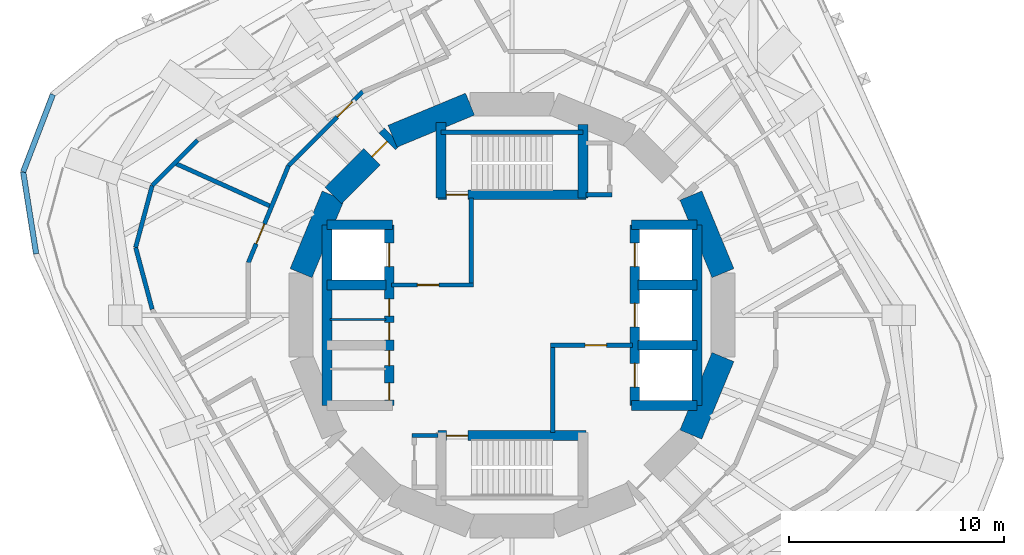
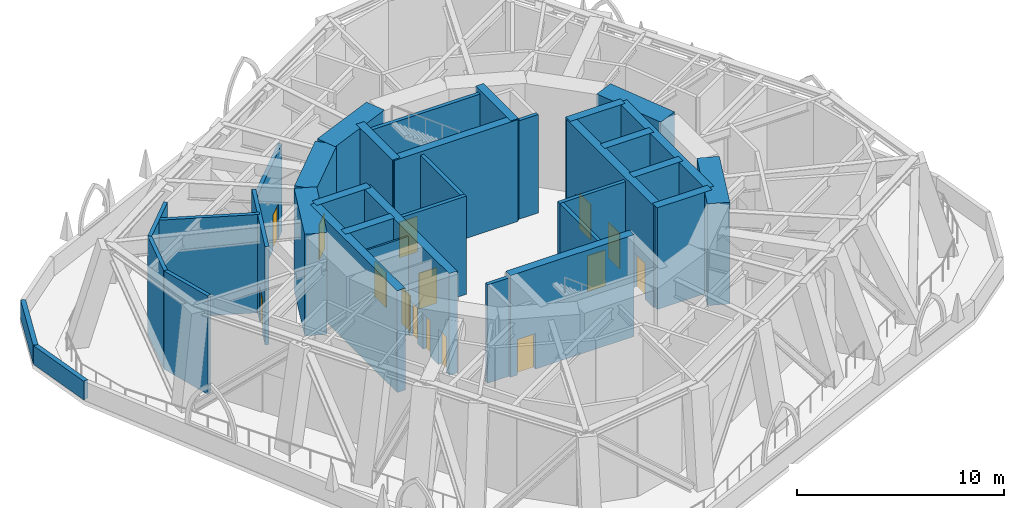
# One storey, part 5 of 10: 35 walls, 15 doors, 15 openings.
"""IFC4 building model written with IfcOpenShell, lengths in metres."""

from ifc_helpers import new_model, si_unit, direction, frame, frame_2d, origin, place, context, subcontext, project, spatial, rectangle, extrude, material, layer, layer_set, type_object, element, fill, save


model = new_model("IFC4")

# Units and contexts
model_context = context("Model", 3, precision=1e-05, world=origin(), true_north=direction((0.0, 1.0)))
body_context = subcontext(model_context, "Body", "Model", "MODEL_VIEW")
ifc_project = project(units=[si_unit("LENGTHUNIT", "METRE"), si_unit("AREAUNIT", "SQUARE_METRE"), si_unit("VOLUMEUNIT", "CUBIC_METRE"), si_unit("PLANEANGLEUNIT", "RADIAN"), si_unit("MASSUNIT", "GRAM", prefix="KILO")], contexts=[model_context])

# Site, building, storey
site_placement = place(None, origin())
site = spatial("IfcSite", under=ifc_project, at=site_placement, CompositionType="ELEMENT")
building_placement = place(site_placement, origin())
building = spatial("IfcBuilding", under=site, at=building_placement, Name="Nakasero Lantern House", CompositionType="ELEMENT")
storey_placement = place(building_placement, frame((0.0, 0.0, 217.10009765625)))
storey = spatial("IfcBuildingStorey", under=building, at=storey_placement, Name="L53", CompositionType="ELEMENT", Elevation=217.10009765625)

# Wall, openings, doors
ifc_material_1 = material(Name="Concrete C50/60", Category="concrete")
ifc_layer_1 = layer(ifc_material_1, 0.449951171875)
ifc_layer_set_1 = layer_set([ifc_layer_1], Name="Core inner wall 450")
wall_type_1 = type_object("IfcWallType", Name="Core inner wall 450", PredefinedType="SHEAR", material=ifc_layer_set_1)
wall_1_placement = place(storey_placement, frame((-5.699951171875, -4.199951171875, 0.0), z_axis=(0.0, 0.0, 1.0), x_axis=(0.0, 1.0, 0.0)))
wall_1 = element("IfcWall", 1, at=wall_1_placement, inside=storey, type_object=wall_type_1, Name="Core inner wall L53 LW", PredefinedType="SHEAR", context=body_context, shape_type="SweptSolid", body=[
    extrude(rectangle(XDim=8.39990234375, YDim=0.449951171875, at=frame_2d((4.199951171875, 0.0))), origin(), (0.0, 0.0, 1.0), 6.0),
])
opening_1_placement = place(wall_1_placement, frame((0.25, 0.0, 0.0)))
opening_1 = element("IfcOpeningElement", 2, at=opening_1_placement, cuts=wall_1, Name="Opening D19", PredefinedType="OPENING", context=body_context, shape_type="SweptSolid", body=[
    extrude(rectangle(XDim=0.800048828125, YDim=2.10009765625, at=frame_2d((0.39990234375, 1.050048828125))), frame((0.0, 0.244873046875, 0.0), z_axis=(0.0, -1.0, 0.0), x_axis=(1.0, 0.0, 0.0)), (0.0, 0.0, 1.0), 0.489990234375),
])
opening_2_placement = place(wall_1_placement, frame((1.85009765625, 0.0, 0.0)))
opening_2 = element("IfcOpeningElement", 3, at=opening_2_placement, cuts=wall_1, Name="Opening D20", PredefinedType="OPENING", context=body_context, shape_type="SweptSolid", body=[
    extrude(rectangle(XDim=0.699951171875, YDim=2.10009765625, at=frame_2d((0.35009765625, 1.050048828125))), frame((0.0, 0.244873046875, 0.0), z_axis=(0.0, -1.0, 0.0), x_axis=(1.0, 0.0, 0.0)), (0.0, 0.0, 1.0), 0.489990234375),
])
opening_3_placement = place(wall_1_placement, frame((3.050048828125, 0.0, 0.0)))
opening_3 = element("IfcOpeningElement", 4, at=opening_3_placement, cuts=wall_1, Name="Opening D19", PredefinedType="OPENING", context=body_context, shape_type="SweptSolid", body=[
    extrude(rectangle(XDim=0.800048828125, YDim=2.10009765625, at=frame_2d((0.39990234375, 1.050048828125))), frame((0.0, 0.244873046875, 0.0), z_axis=(0.0, -1.0, 0.0), x_axis=(1.0, 0.0, 0.0)), (0.0, 0.0, 1.0), 0.489990234375),
])
opening_4_placement = place(wall_1_placement, frame((4.14990234375, 0.0, 0.0)))
opening_4 = element("IfcOpeningElement", 5, at=opening_4_placement, cuts=wall_1, Name="Opening D15", PredefinedType="OPENING", context=body_context, shape_type="SweptSolid", body=[
    extrude(rectangle(XDim=0.800048828125, YDim=2.10009765625, at=frame_2d((0.39990234375, 1.050048828125))), frame((0.0, 0.244873046875, 0.0), z_axis=(0.0, -1.0, 0.0), x_axis=(1.0, 0.0, 0.0)), (0.0, 0.0, 1.0), 0.489990234375),
])
opening_5_placement = place(wall_1_placement, frame((6.449951171875, 0.0, 0.0)))
opening_5 = element("IfcOpeningElement", 6, at=opening_5_placement, cuts=wall_1, Name="Opening LD", PredefinedType="OPENING", context=body_context, shape_type="SweptSolid", body=[
    extrude(rectangle(XDim=1.10009765625, YDim=2.10009765625, at=frame_2d((0.550048828125, 1.050048828125))), frame((0.0, 0.244873046875, 0.0), z_axis=(0.0, -1.0, 0.0), x_axis=(1.0, 0.0, 0.0)), (0.0, 0.0, 1.0), 0.489990234375),
])
ifc_material_2 = material(Name="Timber C24", Category="wood")
door_type_1 = type_object("IfcDoorType", Name="Cleaner's store door FD30S 700", OperationType="SINGLE_SWING_LEFT", PredefinedType="DOOR", material=ifc_material_2)
door_1_placement = place(opening_2_placement, origin())
door_1 = element("IfcDoor", 7, at=door_1_placement, inside=storey, type_object=door_type_1, Name="Door L53 D-SH-LW1b", OperationType="SINGLE_SWING_LEFT", OverallHeight=2.10009765625, OverallWidth=0.699951171875, PredefinedType="DOOR", context=body_context, shape_type="SweptSolid", body=[
    extrude(rectangle(XDim=0.699951171875, YDim=2.10009765625, at=frame_2d((0.35009765625, 1.050048828125))), frame((0.0, 0.02490234375, 0.0), z_axis=(0.0, -1.0, 0.0), x_axis=(1.0, 0.0, 0.0)), (0.0, 0.0, 1.0), 0.050048828125),
])
fill(opening_2, door_1)
ifc_material_3 = material(Name="Timber C24", Category="wood")
door_type_2 = type_object("IfcDoorType", Name="Cleaner's store door FD30S 800", OperationType="SINGLE_SWING_LEFT", PredefinedType="DOOR", material=ifc_material_3)
door_2_placement = place(opening_4_placement, origin())
door_2 = element("IfcDoor", 8, at=door_2_placement, inside=storey, type_object=door_type_2, Name="Door L53 D-SH-LW2b", OperationType="SINGLE_SWING_RIGHT", OverallHeight=2.10009765625, OverallWidth=0.800048828125, PredefinedType="DOOR", context=body_context, shape_type="SweptSolid", body=[
    extrude(rectangle(XDim=0.800048828125, YDim=2.10009765625, at=frame_2d((0.39990234375, 1.050048828125))), frame((0.0, 0.02490234375, 0.0), z_axis=(0.0, -1.0, 0.0), x_axis=(1.0, 0.0, 0.0)), (0.0, 0.0, 1.0), 0.050048828125),
])
fill(opening_4, door_2)
ifc_material_4 = material(Name="Steel S355", Category="steel")
door_type_3 = type_object("IfcDoorType", Name="Lift landing door E120 1100", OperationType="SLIDING_TO_LEFT", PredefinedType="DOOR", material=ifc_material_4)
door_3_placement = place(opening_5_placement, origin())
door_3 = element("IfcDoor", 9, at=door_3_placement, inside=storey, type_object=door_type_3, Name="Lift landing door LW3", OperationType="SLIDING_TO_LEFT", OverallHeight=2.10009765625, OverallWidth=1.10009765625, PredefinedType="DOOR", context=body_context, shape_type="SweptSolid", body=[
    extrude(rectangle(XDim=1.10009765625, YDim=2.10009765625, at=frame_2d((0.550048828125, 1.050048828125))), frame((0.0, 0.02490234375, 0.0), z_axis=(0.0, -1.0, 0.0), x_axis=(1.0, 0.0, 0.0)), (0.0, 0.0, 1.0), 0.050048828125),
])
fill(opening_5, door_3)
ifc_material_5 = material(Name="Steel S355", Category="steel")
door_type_4 = type_object("IfcDoorType", Name="Plant room door FD60 800", OperationType="SINGLE_SWING_LEFT", PredefinedType="DOOR", material=ifc_material_5)
door_4_placement = place(opening_1_placement, origin())
door_4 = element("IfcDoor", 10, at=door_4_placement, inside=storey, type_object=door_type_4, Name="Door L53 D-SH-LW1a", OperationType="SINGLE_SWING_LEFT", OverallHeight=2.10009765625, OverallWidth=0.800048828125, PredefinedType="DOOR", context=body_context, shape_type="SweptSolid", body=[
    extrude(rectangle(XDim=0.800048828125, YDim=2.10009765625, at=frame_2d((0.39990234375, 1.050048828125))), frame((0.0, 0.02490234375, 0.0), z_axis=(0.0, -1.0, 0.0), x_axis=(1.0, 0.0, 0.0)), (0.0, 0.0, 1.0), 0.050048828125),
])
fill(opening_1, door_4)
door_5_placement = place(opening_3_placement, origin())
door_5 = element("IfcDoor", 11, at=door_5_placement, inside=storey, type_object=door_type_4, Name="Door L53 D-SH-LW2a", OperationType="SINGLE_SWING_LEFT", OverallHeight=2.10009765625, OverallWidth=0.800048828125, PredefinedType="DOOR", context=body_context, shape_type="SweptSolid", body=[
    extrude(rectangle(XDim=0.800048828125, YDim=2.10009765625, at=frame_2d((0.39990234375, 1.050048828125))), frame((0.0, 0.02490234375, 0.0), z_axis=(0.0, -1.0, 0.0), x_axis=(1.0, 0.0, 0.0)), (0.0, 0.0, 1.0), 0.050048828125),
])
fill(opening_3, door_5)

wall_2_placement = place(storey_placement, frame((5.699951171875, -4.199951171875, 0.0), z_axis=(0.0, 0.0, 1.0), x_axis=(0.0, 1.0, 0.0)))
wall_2 = element("IfcWall", 12, at=wall_2_placement, inside=storey, type_object=wall_type_1, Name="Core inner wall L53 LE", PredefinedType="SHEAR", context=body_context, shape_type="SweptSolid", body=[
    extrude(rectangle(XDim=8.39990234375, YDim=0.449951171875, at=frame_2d((4.199951171875, 0.0))), origin(), (0.0, 0.0, 1.0), 6.0),
])
opening_6_placement = place(wall_2_placement, frame((0.85009765625, 0.0, 0.0)))
opening_6 = element("IfcOpeningElement", 13, at=opening_6_placement, cuts=wall_2, Name="Opening LD", PredefinedType="OPENING", context=body_context, shape_type="SweptSolid", body=[
    extrude(rectangle(XDim=1.10009765625, YDim=2.10009765625, at=frame_2d((0.550048828125, 1.050048828125))), frame((0.0, 0.244873046875, 0.0), z_axis=(0.0, -1.0, 0.0), x_axis=(1.0, 0.0, 0.0)), (0.0, 0.0, 1.0), 0.489990234375),
])
opening_7_placement = place(wall_2_placement, frame((3.64990234375, 0.0, 0.0)))
opening_7 = element("IfcOpeningElement", 14, at=opening_7_placement, cuts=wall_2, Name="Opening LD", PredefinedType="OPENING", context=body_context, shape_type="SweptSolid", body=[
    extrude(rectangle(XDim=1.10009765625, YDim=2.10009765625, at=frame_2d((0.550048828125, 1.050048828125))), frame((0.0, 0.244873046875, 0.0), z_axis=(0.0, -1.0, 0.0), x_axis=(1.0, 0.0, 0.0)), (0.0, 0.0, 1.0), 0.489990234375),
])
opening_8_placement = place(wall_2_placement, frame((6.449951171875, 0.0, 0.0)))
opening_8 = element("IfcOpeningElement", 15, at=opening_8_placement, cuts=wall_2, Name="Opening LD", PredefinedType="OPENING", context=body_context, shape_type="SweptSolid", body=[
    extrude(rectangle(XDim=1.10009765625, YDim=2.10009765625, at=frame_2d((0.550048828125, 1.050048828125))), frame((0.0, 0.244873046875, 0.0), z_axis=(0.0, -1.0, 0.0), x_axis=(1.0, 0.0, 0.0)), (0.0, 0.0, 1.0), 0.489990234375),
])
door_6_placement = place(opening_6_placement, origin())
door_6 = element("IfcDoor", 16, at=door_6_placement, inside=storey, type_object=door_type_3, Name="Lift landing door LE1", OperationType="SLIDING_TO_LEFT", OverallHeight=2.10009765625, OverallWidth=1.10009765625, PredefinedType="DOOR", context=body_context, shape_type="SweptSolid", body=[
    extrude(rectangle(XDim=1.10009765625, YDim=2.10009765625, at=frame_2d((0.550048828125, 1.050048828125))), frame((0.0, 0.02490234375, 0.0), z_axis=(0.0, -1.0, 0.0), x_axis=(1.0, 0.0, 0.0)), (0.0, 0.0, 1.0), 0.050048828125),
])
fill(opening_6, door_6)
door_7_placement = place(opening_7_placement, origin())
door_7 = element("IfcDoor", 17, at=door_7_placement, inside=storey, type_object=door_type_3, Name="Lift landing door LE2", OperationType="SLIDING_TO_LEFT", OverallHeight=2.10009765625, OverallWidth=1.10009765625, PredefinedType="DOOR", context=body_context, shape_type="SweptSolid", body=[
    extrude(rectangle(XDim=1.10009765625, YDim=2.10009765625, at=frame_2d((0.550048828125, 1.050048828125))), frame((0.0, 0.02490234375, 0.0), z_axis=(0.0, -1.0, 0.0), x_axis=(1.0, 0.0, 0.0)), (0.0, 0.0, 1.0), 0.050048828125),
])
fill(opening_7, door_7)
door_8_placement = place(opening_8_placement, origin())
door_8 = element("IfcDoor", 18, at=door_8_placement, inside=storey, type_object=door_type_3, Name="Lift landing door LE3", OperationType="SLIDING_TO_LEFT", OverallHeight=2.10009765625, OverallWidth=1.10009765625, PredefinedType="DOOR", context=body_context, shape_type="SweptSolid", body=[
    extrude(rectangle(XDim=1.10009765625, YDim=2.10009765625, at=frame_2d((0.550048828125, 1.050048828125))), frame((0.0, 0.02490234375, 0.0), z_axis=(0.0, -1.0, 0.0), x_axis=(1.0, 0.0, 0.0)), (0.0, 0.0, 1.0), 0.050048828125),
])
fill(opening_8, door_8)

# Walls
for number, where, z_axis, x_axis, name in (
    (19, (-8.60009765625, 4.199951171875, 0.0), (0.0, 0.0, 1.0), (1.0, 0.0, 0.0), "Core inner wall L53 LWN"),
    (20, (5.550048828125, 4.199951171875, 0.0), (0.0, 0.0, 1.0), (1.0, 0.0, 0.0), "Core inner wall L53 LEN"),
    (21, (5.550048828125, -4.199951171875, 0.0), (0.0, 0.0, 1.0), (1.0, 0.0, 0.0), "Core inner wall L53 LES"),
):
    element("IfcWall", number, at=place(storey_placement, frame(where, z_axis=z_axis, x_axis=x_axis)), inside=storey, type_object=wall_type_1, Name=name, PredefinedType="SHEAR", context=body_context, shape_type="SweptSolid", body=[
        extrude(rectangle(XDim=3.050048828125, YDim=0.449951171875, at=frame_2d((1.52490234375, 0.0))), origin(), (0.0, 0.0, 1.0), 6.0),
    ])
for number, where, z_axis, x_axis, name in (
    (22, (-8.60009765625, -4.199951171875, 0.0), (0.0, 0.0, 1.0), (0.0, 1.0, 0.0), "Core inner wall L53 LWB"),
    (23, (8.60009765625, -4.199951171875, 0.0), (0.0, 0.0, 1.0), (0.0, 1.0, 0.0), "Core inner wall L53 LEB"),
):
    element("IfcWall", number, at=place(storey_placement, frame(where, z_axis=z_axis, x_axis=x_axis)), inside=storey, type_object=wall_type_1, Name=name, PredefinedType="SHEAR", context=body_context, shape_type="SweptSolid", body=[
        extrude(rectangle(XDim=8.39990234375, YDim=0.449951171875, at=frame_2d((4.199951171875, 0.0))), origin(), (0.0, 0.0, 1.0), 6.0),
    ])
for number, where, z_axis, x_axis, name in (
    (24, (-8.60009765625, 1.39990234375, 0.0), (0.0, 0.0, 1.0), (1.0, 0.0, 0.0), "Core inner wall L53 LW2"),
    (25, (5.85009765625, -1.39990234375, 0.0), (0.0, 0.0, 1.0), (1.0, 0.0, 0.0), "Core inner wall L53 LE1"),
    (26, (5.85009765625, 1.39990234375, 0.0), (0.0, 0.0, 1.0), (1.0, 0.0, 0.0), "Core inner wall L53 LE2"),
):
    element("IfcWall", number, at=place(storey_placement, frame(where, z_axis=z_axis, x_axis=x_axis)), inside=storey, type_object=wall_type_1, Name=name, PredefinedType="SHEAR", context=body_context, shape_type="SweptSolid", body=[
        extrude(rectangle(XDim=2.75, YDim=0.449951171875, at=frame_2d((1.375, 0.0))), origin(), (0.0, 0.0, 1.0), 6.0),
    ])

# Wall, opening, door
wall_3_placement = place(storey_placement, frame((-3.449951171875, 5.60009765625, 0.0), z_axis=(0.0, 0.0, 1.0), x_axis=(1.0, 0.0, 0.0)))
wall_3 = element("IfcWall", 27, at=wall_3_placement, inside=storey, type_object=wall_type_1, Name="Core inner wall L53 SN", PredefinedType="SHEAR", context=body_context, shape_type="SweptSolid", body=[
    extrude(rectangle(XDim=6.89990234375, YDim=0.449951171875, at=frame_2d((3.449951171875, 0.0))), origin(), (0.0, 0.0, 1.0), 6.0),
])
opening_9_placement = place(wall_3_placement, frame((0.39990234375, 0.0, 0.0)))
opening_9 = element("IfcOpeningElement", 28, at=opening_9_placement, cuts=wall_3, Name="Opening D05", PredefinedType="OPENING", context=body_context, shape_type="SweptSolid", body=[
    extrude(rectangle(XDim=1.0, YDim=2.10009765625, at=frame_2d((0.5, 1.050048828125))), frame((0.0, 0.244873046875, 0.0), z_axis=(0.0, -1.0, 0.0), x_axis=(1.0, 0.0, 0.0)), (0.0, 0.0, 1.0), 0.489990234375),
])
ifc_material_6 = material(Name="Timber C24", Category="wood")
door_type_5 = type_object("IfcDoorType", Name="Core door FD60S 1000", OperationType="SINGLE_SWING_LEFT", PredefinedType="DOOR", material=ifc_material_6)
door_9_placement = place(opening_9_placement, origin())
door_9 = element("IfcDoor", 29, at=door_9_placement, inside=storey, type_object=door_type_5, Name="Door L53 D-ST1", OperationType="SINGLE_SWING_LEFT", OverallHeight=2.10009765625, OverallWidth=1.0, PredefinedType="DOOR", context=body_context, shape_type="SweptSolid", body=[
    extrude(rectangle(XDim=1.0, YDim=2.10009765625, at=frame_2d((0.5, 1.050048828125))), frame((0.0, 0.02490234375, 0.0), z_axis=(0.0, -1.0, 0.0), x_axis=(1.0, 0.0, 0.0)), (0.0, 0.0, 1.0), 0.050048828125),
])
fill(opening_9, door_9)

# Walls
wall_4_placement = place(storey_placement, frame((-3.300048828125, 5.449951171875, 0.0), z_axis=(0.0, 0.0, 1.0), x_axis=(0.0, 1.0, 0.0)))
element("IfcWall", 30, at=wall_4_placement, inside=storey, type_object=wall_type_1, Name="Core inner wall L53 SNW", PredefinedType="SHEAR", context=body_context, shape_type="SweptSolid", body=[
    extrude(rectangle(XDim=3.5, YDim=0.449951171875, at=frame_2d((1.75, 0.0))), origin(), (0.0, 0.0, 1.0), 6.0),
])
wall_5_placement = place(storey_placement, frame((3.300048828125, 5.449951171875, 0.0), z_axis=(0.0, 0.0, 1.0), x_axis=(0.0, 1.0, 0.0)))
element("IfcWall", 31, at=wall_5_placement, inside=storey, type_object=wall_type_1, Name="Core inner wall L53 SNE", PredefinedType="SHEAR", context=body_context, shape_type="SweptSolid", body=[
    extrude(rectangle(XDim=3.400146484375, YDim=0.449951171875, at=frame_2d((1.7001953125, 0.0))), origin(), (0.0, 0.0, 1.0), 6.0),
])

# Wall, opening, door
wall_6_placement = place(storey_placement, frame((-3.449951171875, -5.60009765625, 0.0), z_axis=(0.0, 0.0, 1.0), x_axis=(1.0, 0.0, 0.0)))
wall_6 = element("IfcWall", 32, at=wall_6_placement, inside=storey, type_object=wall_type_1, Name="Core inner wall L53 SS", PredefinedType="SHEAR", context=body_context, shape_type="SweptSolid", body=[
    extrude(rectangle(XDim=6.89990234375, YDim=0.449951171875, at=frame_2d((3.449951171875, 0.0))), origin(), (0.0, 0.0, 1.0), 6.0),
])
opening_10_placement = place(wall_6_placement, frame((0.39990234375, 0.0, 0.0)))
opening_10 = element("IfcOpeningElement", 33, at=opening_10_placement, cuts=wall_6, Name="Opening D05", PredefinedType="OPENING", context=body_context, shape_type="SweptSolid", body=[
    extrude(rectangle(XDim=1.0, YDim=2.10009765625, at=frame_2d((0.5, 1.050048828125))), frame((0.0, 0.244873046875, 0.0), z_axis=(0.0, -1.0, 0.0), x_axis=(1.0, 0.0, 0.0)), (0.0, 0.0, 1.0), 0.489990234375),
])
door_10_placement = place(opening_10_placement, origin())
door_10 = element("IfcDoor", 34, at=door_10_placement, inside=storey, type_object=door_type_5, Name="Door L53 D-ST2", OperationType="SINGLE_SWING_LEFT", OverallHeight=2.10009765625, OverallWidth=1.0, PredefinedType="DOOR", context=body_context, shape_type="SweptSolid", body=[
    extrude(rectangle(XDim=1.0, YDim=2.10009765625, at=frame_2d((0.5, 1.050048828125))), frame((0.0, 0.02490234375, 0.0), z_axis=(0.0, -1.0, 0.0), x_axis=(1.0, 0.0, 0.0)), (0.0, 0.0, 1.0), 0.050048828125),
])
fill(opening_10, door_10)

# Walls
ifc_material_7 = material(Name="Blockwork", Category="masonry")
ifc_layer_2 = layer(ifc_material_7, 0.10009765625)
ifc_layer_set_2 = layer_set([ifc_layer_2], Name="Core room wall 100")
wall_type_2 = type_object("IfcWallType", Name="Core room wall 100", PredefinedType="PARTITIONING", material=ifc_layer_set_2)
wall_7_placement = place(storey_placement, frame((-8.449951171875, -0.199951171875, 0.0), z_axis=(0.0, 0.0, 1.0), x_axis=(1.0, 0.0, 0.0)))
element("IfcWall", 35, at=wall_7_placement, inside=storey, type_object=wall_type_2, Name="Core room wall L53 CR-SH-LW2b", PredefinedType="PARTITIONING", context=body_context, shape_type="SweptSolid", body=[
    extrude(rectangle(XDim=2.599853515625, YDim=0.10009765625, at=frame_2d((1.2998046875, 0.0))), origin(), (0.0, 0.0, 1.0), 5.7998046875),
])
ifc_material_8 = material(Name="Concrete C50/60", Category="concrete")
ifc_layer_3 = layer(ifc_material_8, 1.10009765625)
ifc_layer_set_3 = layer_set([ifc_layer_3], Name="Core wall 1100")
wall_type_3 = type_object("IfcWallType", Name="Core wall 1100", PredefinedType="SHEAR", material=ifc_layer_set_3)
for number, where, z_axis, x_axis, name in (
    (36, (9.807861328125, 1.950927734375, 0.0), (0.0, 0.0, 1.0), (-0.382690736062, 0.923876507187, 0.0), "Core wall L53 facet 1"),
    (37, (-1.950927734375, 9.807861328125, 0.0), (0.0, 0.0, 1.0), (-0.923876507187, -0.382690736062, 0.0), "Core wall L53 facet 5"),
):
    element("IfcWall", number, at=place(storey_placement, frame(where, z_axis=z_axis, x_axis=x_axis)), inside=storey, type_object=wall_type_3, Name=name, PredefinedType="SHEAR", context=body_context, shape_type="SweptSolid", body=[
        extrude(rectangle(XDim=3.90185546875, YDim=1.10009765625, at=frame_2d((1.950927734375, 0.0))), origin(), (0.0, 0.0, 1.0), 6.0),
    ])

# Wall, opening, door
wall_8_placement = place(storey_placement, frame((-5.5556640625, 8.314697265625, 0.0), z_axis=(0.0, 0.0, 1.0), x_axis=(-0.707106781187, -0.707106781187, 0.0)))
wall_8 = element("IfcWall", 38, at=wall_8_placement, inside=storey, type_object=wall_type_3, Name="Core wall L53 facet 6", PredefinedType="SHEAR", context=body_context, shape_type="SweptSolid", body=[
    extrude(rectangle(XDim=3.90185546875, YDim=1.10009765625, at=frame_2d((1.950927734375, 0.0))), origin(), (0.0, 0.0, 1.0), 6.0),
])
opening_11_placement = place(wall_8_placement, frame((0.35009765625, 0.0, 0.0)))
opening_11 = element("IfcOpeningElement", 39, at=opening_11_placement, cuts=wall_8, Name="Opening D05", PredefinedType="OPENING", context=body_context, shape_type="SweptSolid", body=[
    extrude(rectangle(XDim=1.0, YDim=2.10009765625, at=frame_2d((0.5, 1.050048828125))), frame((0.0, 0.570068359375, 0.0), z_axis=(0.0, -1.0, 0.0), x_axis=(1.0, 0.0, 0.0)), (0.0, 0.0, 1.0), 1.14013671875),
])
door_11_placement = place(opening_11_placement, origin())
door_11 = element("IfcDoor", 40, at=door_11_placement, inside=storey, type_object=door_type_5, Name="Door L53 D-CORE06", OperationType="SINGLE_SWING_LEFT", OverallHeight=2.10009765625, OverallWidth=1.0, PredefinedType="DOOR", context=body_context, shape_type="SweptSolid", body=[
    extrude(rectangle(XDim=1.0, YDim=2.10009765625, at=frame_2d((0.5, 1.050048828125))), frame((0.0, 0.02490234375, 0.0), z_axis=(0.0, -1.0, 0.0), x_axis=(1.0, 0.0, 0.0)), (0.0, 0.0, 1.0), 0.050048828125),
])
fill(opening_11, door_11)

# Walls
for number, where, z_axis, x_axis, name in (
    (41, (-8.314697265625, 5.5556640625, 0.0), (0.0, 0.0, 1.0), (-0.382690736062, -0.923876507187, 0.0), "Core wall L53 facet 7"),
    (42, (8.314697265625, -5.5556640625, 0.0), (0.0, 0.0, 1.0), (0.382690736062, 0.923876507187, 0.0), "Core wall L53 facet 15"),
):
    element("IfcWall", number, at=place(storey_placement, frame(where, z_axis=z_axis, x_axis=x_axis)), inside=storey, type_object=wall_type_3, Name=name, PredefinedType="SHEAR", context=body_context, shape_type="SweptSolid", body=[
        extrude(rectangle(XDim=3.90185546875, YDim=1.10009765625, at=frame_2d((1.950927734375, 0.0))), origin(), (0.0, 0.0, 1.0), 6.0),
    ])

# Wall, opening, door
ifc_material_9 = material(Name="Blockwork", Category="masonry")
ifc_layer_4 = layer(ifc_material_9, 0.199951171875)
ifc_layer_set_4 = layer_set([ifc_layer_4], Name="Corridor wall 200")
wall_type_4 = type_object("IfcWallType", Name="Corridor wall 200", PredefinedType="PARTITIONING", material=ifc_layer_set_4)
wall_9_placement = place(storey_placement, frame((-12.2578125, 2.438232421875, 0.0), z_axis=(0.0, 0.0, 1.0), x_axis=(0.382687830351, 0.923877710793, 0.0)))
wall_9 = element("IfcWall", 43, at=wall_9_placement, inside=storey, type_object=wall_type_4, Name="Corridor wall L53 TC09", PredefinedType="PARTITIONING", context=body_context, shape_type="SweptSolid", body=[
    extrude(rectangle(XDim=4.876708984375, YDim=0.199951171875, at=frame_2d((2.4384765625, 0.0))), origin(), (0.0, 0.0, 1.0), 5.7998046875),
])
opening_12_placement = place(wall_9_placement, frame((0.949951171875, 0.0, 0.0)))
opening_12 = element("IfcOpeningElement", 44, at=opening_12_placement, cuts=wall_9, Name="Opening D13", PredefinedType="OPENING", context=body_context, shape_type="SweptSolid", body=[
    extrude(rectangle(XDim=1.0, YDim=2.10009765625, at=frame_2d((0.5, 1.050048828125))), frame((0.0, 0.119873046875, 0.0), z_axis=(0.0, -1.0, 0.0), x_axis=(1.0, 0.0, 0.0)), (0.0, 0.0, 1.0), 0.239990234375),
])
ifc_material_10 = material(Name="Steel S355", Category="steel")
door_type_6 = type_object("IfcDoorType", Name="Plant room door FD60 1000", OperationType="SINGLE_SWING_LEFT", PredefinedType="DOOR", material=ifc_material_10)
door_12_placement = place(opening_12_placement, origin())
door_12 = element("IfcDoor", 45, at=door_12_placement, inside=storey, type_object=door_type_6, Name="Door L53 TDR11", OperationType="SINGLE_SWING_LEFT", OverallHeight=2.10009765625, OverallWidth=1.0, PredefinedType="DOOR", context=body_context, shape_type="SweptSolid", body=[
    extrude(rectangle(XDim=1.0, YDim=2.10009765625, at=frame_2d((0.5, 1.050048828125))), frame((0.0, 0.02490234375, 0.0), z_axis=(0.0, -1.0, 0.0), x_axis=(1.0, 0.0, 0.0)), (0.0, 0.0, 1.0), 0.050048828125),
])
fill(opening_12, door_12)

wall_10_placement = place(storey_placement, frame((-10.3916015625, 6.943603515625, 0.0), z_axis=(0.0, 0.0, 1.0), x_axis=(0.707106781187, 0.707106781187, 0.0)))
wall_10 = element("IfcWall", 46, at=wall_10_placement, inside=storey, type_object=wall_type_4, Name="Corridor wall L53 TC10", PredefinedType="PARTITIONING", context=body_context, shape_type="SweptSolid", body=[
    extrude(rectangle(XDim=4.876220703125, YDim=0.199951171875, at=frame_2d((2.43798828125, 0.0))), origin(), (0.0, 0.0, 1.0), 5.197265625),
])
opening_13_placement = place(wall_10_placement, frame((3.199951171875, 0.0, 0.0)))
opening_13 = element("IfcOpeningElement", 47, at=opening_13_placement, cuts=wall_10, Name="Opening D13", PredefinedType="OPENING", context=body_context, shape_type="SweptSolid", body=[
    extrude(rectangle(XDim=1.0, YDim=2.10009765625, at=frame_2d((0.5, 1.050048828125))), frame((0.0, 0.119873046875, 0.0), z_axis=(0.0, -1.0, 0.0), x_axis=(1.0, 0.0, 0.0)), (0.0, 0.0, 1.0), 0.239990234375),
])
door_13_placement = place(opening_13_placement, origin())
door_13 = element("IfcDoor", 48, at=door_13_placement, inside=storey, type_object=door_type_6, Name="Door L53 TDR10", OperationType="SINGLE_SWING_RIGHT", OverallHeight=2.10009765625, OverallWidth=1.0, PredefinedType="DOOR", context=body_context, shape_type="SweptSolid", body=[
    extrude(rectangle(XDim=1.0, YDim=2.10009765625, at=frame_2d((0.5, 1.050048828125))), frame((0.0, 0.02490234375, 0.0), z_axis=(0.0, -1.0, 0.0), x_axis=(1.0, 0.0, 0.0)), (0.0, 0.0, 1.0), 0.050048828125),
])
fill(opening_13, door_13)

ifc_material_11 = material(Name="Blockwork", Category="masonry")
ifc_layer_5 = layer(ifc_material_11, 0.199951171875)
ifc_layer_set_5 = layer_set([ifc_layer_5], Name="Fire lobby wall 200")
wall_type_5 = type_object("IfcWallType", Name="Fire lobby wall 200", PredefinedType="PARTITIONING", material=ifc_layer_set_5)
wall_11_placement = place(storey_placement, frame((-5.60009765625, 1.39990234375, 0.0), z_axis=(0.0, 0.0, 1.0), x_axis=(1.0, 0.0, 0.0)))
wall_11 = element("IfcWall", 49, at=wall_11_placement, inside=storey, type_object=wall_type_5, Name="Fire lobby wall L53 W-FL1S", PredefinedType="PARTITIONING", context=body_context, shape_type="SweptSolid", body=[
    extrude(rectangle(XDim=3.800048828125, YDim=0.199951171875, at=frame_2d((1.89990234375, 0.0))), origin(), (0.0, 0.0, 1.0), 5.7998046875),
])
opening_14_placement = place(wall_11_placement, frame((1.199951171875, 0.0, 0.0)))
opening_14 = element("IfcOpeningElement", 50, at=opening_14_placement, cuts=wall_11, Name="Opening D05", PredefinedType="OPENING", context=body_context, shape_type="SweptSolid", body=[
    extrude(rectangle(XDim=1.0, YDim=2.10009765625, at=frame_2d((0.5, 1.050048828125))), frame((0.0, 0.119873046875, 0.0), z_axis=(0.0, -1.0, 0.0), x_axis=(1.0, 0.0, 0.0)), (0.0, 0.0, 1.0), 0.239990234375),
])
door_14_placement = place(opening_14_placement, origin())
door_14 = element("IfcDoor", 51, at=door_14_placement, inside=storey, type_object=door_type_5, Name="Door L53 D-FL1", OperationType="SINGLE_SWING_LEFT", OverallHeight=2.10009765625, OverallWidth=1.0, PredefinedType="DOOR", context=body_context, shape_type="SweptSolid", body=[
    extrude(rectangle(XDim=1.0, YDim=2.10009765625, at=frame_2d((0.5, 1.050048828125))), frame((0.0, 0.02490234375, 0.0), z_axis=(0.0, -1.0, 0.0), x_axis=(1.0, 0.0, 0.0)), (0.0, 0.0, 1.0), 0.050048828125),
])
fill(opening_14, door_14)

# Wall
wall_12_placement = place(storey_placement, frame((-1.89990234375, 1.5, 0.0), z_axis=(0.0, 0.0, 1.0), x_axis=(0.0, 1.0, 0.0)))
element("IfcWall", 52, at=wall_12_placement, inside=storey, type_object=wall_type_5, Name="Fire lobby wall L53 W-FL1E", PredefinedType="PARTITIONING", context=body_context, shape_type="SweptSolid", body=[
    extrude(rectangle(XDim=3.949951171875, YDim=0.199951171875, at=frame_2d((1.97509765625, 0.0))), origin(), (0.0, 0.0, 1.0), 5.7998046875),
])

# Wall, opening, door
wall_13_placement = place(storey_placement, frame((5.60009765625, -1.39990234375, 0.0), z_axis=(0.0, 0.0, 1.0), x_axis=(-1.0, 0.0, 0.0)))
wall_13 = element("IfcWall", 53, at=wall_13_placement, inside=storey, type_object=wall_type_5, Name="Fire lobby wall L53 W-FL2N", PredefinedType="PARTITIONING", context=body_context, shape_type="SweptSolid", body=[
    extrude(rectangle(XDim=3.800048828125, YDim=0.199951171875, at=frame_2d((1.89990234375, 0.0))), origin(), (0.0, 0.0, 1.0), 5.7998046875),
])
opening_15_placement = place(wall_13_placement, frame((1.199951171875, 0.0, 0.0)))
opening_15 = element("IfcOpeningElement", 54, at=opening_15_placement, cuts=wall_13, Name="Opening D05", PredefinedType="OPENING", context=body_context, shape_type="SweptSolid", body=[
    extrude(rectangle(XDim=1.0, YDim=2.10009765625, at=frame_2d((0.5, 1.050048828125))), frame((0.0, 0.119873046875, 0.0), z_axis=(0.0, -1.0, 0.0), x_axis=(1.0, 0.0, 0.0)), (0.0, 0.0, 1.0), 0.239990234375),
])
door_15_placement = place(opening_15_placement, origin())
door_15 = element("IfcDoor", 55, at=door_15_placement, inside=storey, type_object=door_type_5, Name="Door L53 D-FL2", OperationType="SINGLE_SWING_LEFT", OverallHeight=2.10009765625, OverallWidth=1.0, PredefinedType="DOOR", context=body_context, shape_type="SweptSolid", body=[
    extrude(rectangle(XDim=1.0, YDim=2.10009765625, at=frame_2d((0.5, 1.050048828125))), frame((0.0, 0.02490234375, 0.0), z_axis=(0.0, -1.0, 0.0), x_axis=(1.0, 0.0, 0.0)), (0.0, 0.0, 1.0), 0.050048828125),
])
fill(opening_15, door_15)

# Walls
wall_14_placement = place(storey_placement, frame((1.89990234375, -1.5, 0.0), z_axis=(0.0, 0.0, 1.0), x_axis=(0.0, -1.0, 0.0)))
element("IfcWall", 56, at=wall_14_placement, inside=storey, type_object=wall_type_5, Name="Fire lobby wall L53 W-FL2W", PredefinedType="PARTITIONING", context=body_context, shape_type="SweptSolid", body=[
    extrude(rectangle(XDim=3.949951171875, YDim=0.199951171875, at=frame_2d((1.97509765625, 0.0))), origin(), (0.0, 0.0, 1.0), 5.7998046875),
])
for number, where, z_axis, x_axis, name in (
    (57, (3.449951171875, 5.60009765625, 0.0), (0.0, 0.0, 1.0), (1.0, 0.0, 0.0), "Fire lobby wall L53 W-RS1S"),
    (58, (-3.449951171875, -5.60009765625, 0.0), (0.0, 0.0, 1.0), (-1.0, 0.0, 0.0), "Fire lobby wall L53 W-RS2N"),
):
    element("IfcWall", number, at=place(storey_placement, frame(where, z_axis=z_axis, x_axis=x_axis)), inside=storey, type_object=wall_type_5, Name=name, PredefinedType="PARTITIONING", context=body_context, shape_type="SweptSolid", body=[
        extrude(rectangle(XDim=1.199951171875, YDim=0.199951171875, at=frame_2d((0.60009765625, 0.0))), origin(), (0.0, 0.0, 1.0), 5.7998046875),
    ])
wall_15_placement = place(storey_placement, frame((-3.300048828125, 8.5, 0.0), z_axis=(0.0, 0.0, 1.0), x_axis=(1.0, 0.0, 0.0)))
element("IfcWall", 59, at=wall_15_placement, inside=storey, type_object=wall_type_5, Name="Fire lobby wall L53 W-STN", PredefinedType="PARTITIONING", context=body_context, shape_type="SweptSolid", body=[
    extrude(rectangle(XDim=6.60009765625, YDim=0.199951171875, at=frame_2d((3.300048828125, 0.0))), origin(), (0.0, 0.0, 1.0), 5.7998046875),
])
wall_16_placement = place(storey_placement, frame((-11.180419921875, 5.039306640625, 0.0), z_axis=(0.0, 0.0, 1.0), x_axis=(-0.911672479728, 0.410917619124, 0.0)))
element("IfcWall", 60, at=wall_16_placement, inside=storey, type_object=wall_type_5, Name="Fire lobby wall L53 TD10", PredefinedType="PARTITIONING", context=body_context, shape_type="SweptSolid", body=[
    extrude(rectangle(XDim=4.937744140625, YDim=0.199951171875, at=frame_2d((2.46875, 0.0))), origin(), (0.0, 0.0, 1.0), 5.7998046875),
])
ifc_material_12 = material(Name="Concrete C35/45", Category="concrete")
ifc_layer_6 = layer(ifc_material_12, 0.25)
ifc_layer_set_6 = layer_set([ifc_layer_6], Name="Parapet 250")
wall_type_6 = type_object("IfcWallType", Name="Parapet 250", PredefinedType="SOLIDWALL", material=ifc_layer_set_6)
wall_17_placement = place(storey_placement, frame((-21.342529296875, 10.258056640625, 0.0), z_axis=(0.0, 0.0, 1.0), x_axis=(-0.358321438858, -0.933598278948, 0.0)))
element("IfcWall", 61, at=wall_17_placement, inside=storey, type_object=wall_type_6, Name="Parapet L53 PP1C2", PredefinedType="SOLIDWALL", context=body_context, shape_type="SweptSolid", body=[
    extrude(rectangle(XDim=3.8564453125, YDim=0.25, at=frame_2d((1.92822265625, 0.0))), origin(), (0.0, 0.0, 1.0), 1.099853515625),
])
wall_18_placement = place(storey_placement, frame((-22.724365234375, 6.65771484375, 0.0), z_axis=(0.0, 0.0, 1.0), x_axis=(0.156437203878, -0.987687906802, 0.0)))
element("IfcWall", 62, at=wall_18_placement, inside=storey, type_object=wall_type_6, Name="Parapet L53 PP1C3", PredefinedType="SOLIDWALL", context=body_context, shape_type="SweptSolid", body=[
    extrude(rectangle(XDim=3.856201171875, YDim=0.25, at=frame_2d((1.92822265625, 0.0))), origin(), (0.0, 0.0, 1.0), 1.099853515625),
])
ifc_material_13 = material(Name="Aluminium louvre on blockwork", Category="masonry")
ifc_layer_7 = layer(ifc_material_13, 0.199951171875)
ifc_layer_set_7 = layer_set([ifc_layer_7], Name="Plant enclosure wall 200")
wall_type_7 = type_object("IfcWallType", Name="Plant enclosure wall 200", PredefinedType="SOLIDWALL", material=ifc_layer_set_7)
wall_19_placement = place(storey_placement, frame((-14.622802734375, 8.12744140625, 0.0), z_axis=(0.0, 0.0, 1.0), x_axis=(-0.707106781187, -0.707106781187, 0.0)))
element("IfcWall", 63, at=wall_19_placement, inside=storey, type_object=wall_type_7, Name="Plant enclosure wall L53 EN1C1", PredefinedType="SOLIDWALL", context=body_context, shape_type="SweptSolid", body=[
    extrude(rectangle(XDim=2.9765625, YDim=0.199951171875, at=frame_2d((1.48828125, 0.0))), origin(), (0.0, 0.0, 1.0), 5.7998046875),
])
for number, where, z_axis, x_axis, name in (
    (64, (-16.7275390625, 6.022705078125, 0.0), (0.0, 0.0, 1.0), (-0.25879075227, -0.965933406887, 0.0), "Plant enclosure wall L53 EN1C2"),
    (65, (-17.497802734375, 3.147705078125, 0.0), (0.0, 0.0, 1.0), (0.25879075227, -0.965933406887, 0.0), "Plant enclosure wall L53 EN1C3"),
):
    element("IfcWall", number, at=place(storey_placement, frame(where, z_axis=z_axis, x_axis=x_axis)), inside=storey, type_object=wall_type_7, Name=name, PredefinedType="SOLIDWALL", context=body_context, shape_type="SweptSolid", body=[
        extrude(rectangle(XDim=2.976318359375, YDim=0.199951171875, at=frame_2d((1.48828125, 0.0))), origin(), (0.0, 0.0, 1.0), 5.7998046875),
    ])

save(model, "model.ifc")
